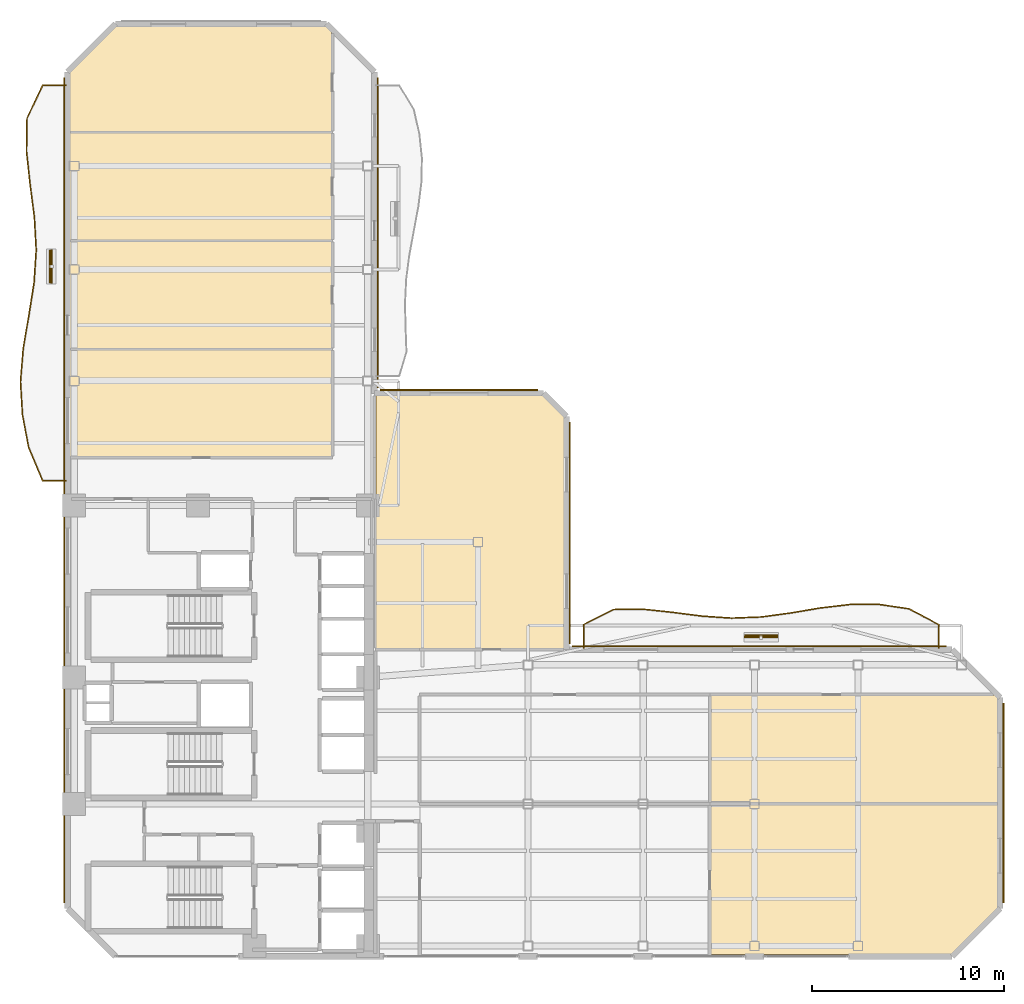
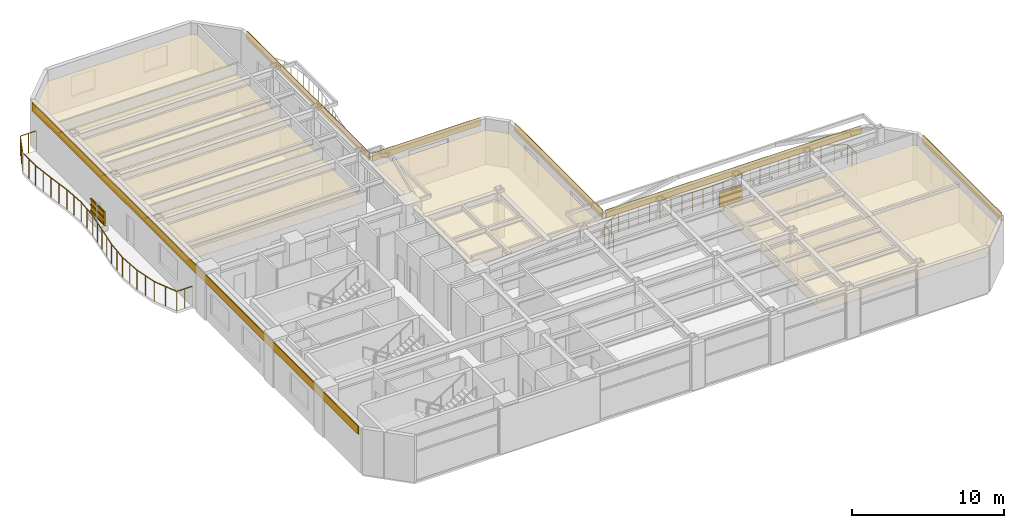
# One storey, part 14 of 15: 13 coverings, 8 shading devices, 2 railings.
"""IFC4 building model written with IfcOpenShell, lengths in metres."""

from ifc_helpers import new_model, si_unit, direction, frame, origin, origin_2d, place, context, subcontext, project, spatial, polyline, rectangle, outline, extrude, material, layer, layer_set, material_profile, profile_set, type_object, element, save


model = new_model("IFC4")

# Units and contexts
model_context = context("Model", 3, precision=1e-05, world=origin(), true_north=direction((0.0, 1.0)))
body_context = subcontext(model_context, "Body", "Model", "MODEL_VIEW")
ifc_project = project(units=[si_unit("LENGTHUNIT", "METRE"), si_unit("AREAUNIT", "SQUARE_METRE"), si_unit("VOLUMEUNIT", "CUBIC_METRE"), si_unit("PLANEANGLEUNIT", "RADIAN"), si_unit("MASSUNIT", "GRAM", prefix="KILO")], contexts=[model_context])

# Site, building, storey
site_placement = place(None, origin())
site = spatial("IfcSite", under=ifc_project, at=site_placement, CompositionType="ELEMENT")
building_placement = place(site_placement, origin())
building = spatial("IfcBuilding", under=site, at=building_placement, Name="Mawjaban Terraces University", CompositionType="ELEMENT")
storey_placement = place(building_placement, frame((0.0, 0.0, 119.0)))
storey = spatial("IfcBuildingStorey", under=building, at=storey_placement, Name="L28", CompositionType="ELEMENT", Elevation=119.0)

# Coverings
ifc_material_1 = material(Name="Acoustic mineral fibre ceiling tile", Category="masonry")
ifc_layer_1 = layer(ifc_material_1, 0.02001953125)
ifc_layer_set_1 = layer_set([ifc_layer_1], Name="Acoustic mineral fibre ceiling tile")
covering_type_1 = type_object("IfcCoveringType", Name="AcousticMineralCeiling_20", PredefinedType="CEILING", material=ifc_layer_set_1)
covering_1_placement = place(storey_placement, frame((0.0, 0.0, 2.75)))
element("IfcCovering", 1, at=covering_1_placement, inside=storey, type_object=covering_type_1, Name="L28 Design Studio 4 Acoustic Ceiling", PredefinedType="CEILING", context=body_context, shape_type="SweptSolid", body=[
    extrude(outline(polyline([(55.5048828125, 0.114990234375), (68.052978515625, 0.114990234375), (70.485107421875, 2.547119140625), (70.485107421875, 7.919921875), (55.5048828125, 7.919921875), (55.5048828125, 0.114990234375)])), origin(), (0.0, 0.0, 1.0), 0.02001953125),
])
covering_2_placement = place(storey_placement, frame((0.0, 0.0, 2.75)))
element("IfcCovering", 2, at=covering_2_placement, inside=storey, type_object=covering_type_1, Name="L28 Faculty Office 5 Acoustic Ceiling", PredefinedType="CEILING", context=body_context, shape_type="SweptSolid", body=[
    extrude(outline(polyline([(70.485107421875, 7.97998046875), (70.485107421875, 13.452880859375), (70.318115234375, 13.6201171875), (55.5048828125, 13.6201171875), (55.5048828125, 7.97998046875), (70.485107421875, 7.97998046875)])), origin(), (0.0, 0.0, 1.0), 0.02001953125),
])
covering_3_placement = place(storey_placement, frame((0.0, 0.0, 2.75)))
element("IfcCovering", 3, at=covering_3_placement, inside=storey, type_object=covering_type_1, Name="L28 Departmental Office 6 Acoustic Ceiling", PredefinedType="CEILING", context=body_context, shape_type="SweptSolid", body=[
    extrude(outline(polyline([(22.114990234375, 31.6201171875), (22.114990234375, 26.030029296875), (35.77001953125, 26.030029296875), (35.77001953125, 31.6201171875), (22.114990234375, 31.6201171875)])), origin(), (0.0, 0.0, 1.0), 0.02001953125),
])
covering_4_placement = place(storey_placement, frame((0.0, 0.0, 2.75)))
element("IfcCovering", 4, at=covering_4_placement, inside=storey, type_object=covering_type_1, Name="L28 Academic Workspace 7 Acoustic Ceiling", PredefinedType="CEILING", context=body_context, shape_type="SweptSolid", body=[
    extrude(outline(polyline([(22.114990234375, 37.27001953125), (22.114990234375, 31.679931640625), (35.77001953125, 31.679931640625), (35.77001953125, 37.27001953125), (22.114990234375, 37.27001953125)])), origin(), (0.0, 0.0, 1.0), 0.02001953125),
])
covering_5_placement = place(storey_placement, frame((0.0, 0.0, 2.75)))
element("IfcCovering", 5, at=covering_5_placement, inside=storey, type_object=covering_type_1, Name="L28 Faculty Office 8 Acoustic Ceiling", PredefinedType="CEILING", context=body_context, shape_type="SweptSolid", body=[
    extrude(outline(polyline([(22.114990234375, 42.919921875), (22.114990234375, 37.330078125), (35.77001953125, 37.330078125), (35.77001953125, 42.919921875), (22.114990234375, 42.919921875)])), origin(), (0.0, 0.0, 1.0), 0.02001953125),
])
covering_6_placement = place(storey_placement, frame((0.0, 0.0, 2.75)))
element("IfcCovering", 6, at=covering_6_placement, inside=storey, type_object=covering_type_1, Name="L28 Departmental Office 9 Acoustic Ceiling", PredefinedType="CEILING", context=body_context, shape_type="SweptSolid", body=[
    extrude(outline(polyline([(35.77001953125, 48.16796875), (35.452880859375, 48.485107421875), (24.547119140625, 48.485107421875), (22.114990234375, 46.052978515625), (22.114990234375, 42.97998046875), (35.77001953125, 42.97998046875), (35.77001953125, 48.16796875)])), origin(), (0.0, 0.0, 1.0), 0.02001953125),
])
covering_7_placement = place(storey_placement, frame((0.0, 0.0, 2.75)))
element("IfcCovering", 7, at=covering_7_placement, inside=storey, type_object=covering_type_1, Name="L28 Terrace Collaborative Study Room Acoustic Ceiling", PredefinedType="CEILING", context=body_context, shape_type="SweptSolid", body=[
    extrude(outline(polyline([(47.888916015625, 16.030029296875), (47.888916015625, 28.10302734375), (46.757080078125, 29.235107421875), (38.080078125, 29.235107421875), (38.080078125, 16.030029296875), (47.888916015625, 16.030029296875)])), origin(), (0.0, 0.0, 1.0), 0.02001953125),
])

# Railings
ifc_material_2 = material(Name="Galvanised powder-coated steel S355", Category="steel")
railing_type = type_object("IfcRailingType", Name="BalconyBalustrade_1600", PredefinedType="BALUSTRADE", material=ifc_material_2)
railing_1_placement = place(storey_placement, frame((21.919921875, 24.800048828125, 0.0)))
element("IfcRailing", 8, at=railing_1_placement, inside=storey, type_object=railing_type, Name="L28 Balcony Guardrail west", PredefinedType="BALUSTRADE", context=body_context, shape_type="SweptSolid", body=[
    extrude(rectangle(XDim=0.048095703125, YDim=0.048095703125, at=origin_2d()), frame((0.0, 0.0, 1.576171875), z_axis=(-1.0, 0.0, 0.0), x_axis=(0.0, -1.0, 0.0)), (0.0, 0.0, 1.0), 1.219970703125),
    extrude(rectangle(XDim=0.048095703125, YDim=0.048095703125, at=origin_2d()), frame((-1.219970703125, 0.0, 1.576171875), z_axis=(-0.388027707189, 0.92164770843, 0.0), x_axis=(-0.92164770843, -0.388027707189, 0.0)), (0.0, 0.0, 1.0), 1.863037109375),
    extrude(rectangle(XDim=0.048095703125, YDim=0.048095703125, at=origin_2d()), frame((-1.94287109375, 1.717041015625, 1.576171875), z_axis=(-0.186752386743, 0.982407016489, 0.0), x_axis=(-0.982407016489, -0.186752386743, 0.0)), (0.0, 0.0, 1.0), 1.74658203125),
    extrude(rectangle(XDim=0.048095703125, YDim=0.048095703125, at=origin_2d()), frame((-2.26904296875, 3.432861328125, 1.576171875), z_axis=(-0.059187962302, 0.998246855802, 0.0), x_axis=(-0.998246855802, -0.059187962302, 0.0)), (0.0, 0.0, 1.0), 1.719970703125),
    extrude(rectangle(XDim=0.048095703125, YDim=0.048095703125, at=origin_2d()), frame((-2.370849609375, 5.14990234375, 1.576171875), z_axis=(0.081767083139, 0.996651465717, 0.0), x_axis=(-0.996651465717, 0.081767083139, 0.0)), (0.0, 0.0, 1.0), 1.722900390625),
    extrude(rectangle(XDim=0.048095703125, YDim=0.048095703125, at=origin_2d()), frame((-2.22998046875, 6.866943359375, 1.576171875), z_axis=(0.166650593889, 0.986016013844, 0.0), x_axis=(-0.986016013844, 0.166650593889, 0.0)), (0.0, 0.0, 1.0), 1.740478515625),
    extrude(rectangle(XDim=0.048095703125, YDim=0.048095703125, at=origin_2d()), frame((-1.93994140625, 8.5830078125, 1.576171875), z_axis=(0.157541431604, 0.987512378316, 0.0), x_axis=(-0.987512378316, 0.157541431604, 0.0)), (0.0, 0.0, 1.0), 1.73876953125),
    extrude(rectangle(XDim=0.048095703125, YDim=0.048095703125, at=origin_2d()), frame((-1.666015625, 10.300048828125, 1.576171875), z_axis=(0.065699610888, 0.997839446569, 0.0), x_axis=(-0.997839446569, 0.065699610888, 0.0)), (0.0, 0.0, 1.0), 1.720458984375),
    extrude(rectangle(XDim=0.048095703125, YDim=0.048095703125, at=origin_2d()), frame((-1.552978515625, 12.016845703125, 1.576171875), z_axis=(-0.055257598412, 0.998472131718, 0.0), x_axis=(-0.998472131718, -0.055257598412, 0.0)), (0.0, 0.0, 1.0), 1.71875),
    extrude(rectangle(XDim=0.048095703125, YDim=0.048095703125, at=origin_2d()), frame((-1.64794921875, 13.73291015625, 1.576171875), z_axis=(-0.128736356349, 0.991678854546, 0.0), x_axis=(-0.991678854546, -0.128736356349, 0.0)), (0.0, 0.0, 1.0), 1.7314453125),
    extrude(rectangle(XDim=0.048095703125, YDim=0.048095703125, at=origin_2d()), frame((-1.870849609375, 15.449951171875, 1.576171875), z_axis=(-0.108274802746, 0.994121002238, 0.0), x_axis=(-0.994121002238, -0.108274802746, 0.0)), (0.0, 0.0, 1.0), 1.727294921875),
    extrude(rectangle(XDim=0.048095703125, YDim=0.048095703125, at=origin_2d()), frame((-2.057861328125, 17.1669921875, 1.576171875), z_axis=(0.015647536304, 0.999877569809, 0.0), x_axis=(-0.999877569809, 0.015647536304, 0.0)), (0.0, 0.0, 1.0), 1.71630859375),
    extrude(rectangle(XDim=0.048095703125, YDim=0.048095703125, at=origin_2d()), frame((-2.031005859375, 18.883056640625, 1.576171875), z_axis=(0.427146482091, 0.904182438912, 0.0), x_axis=(-0.904182438912, 0.427146482091, 0.0)), (0.0, 0.0, 1.0), 1.898681640625),
    extrude(rectangle(XDim=0.048095703125, YDim=0.048095703125, at=origin_2d()), frame((-1.219970703125, 20.599853515625, 1.576171875), z_axis=(1.0, 0.0, 0.0), x_axis=(0.0, 1.0, 0.0)), (0.0, 0.0, 1.0), 1.219970703125),
    extrude(rectangle(XDim=0.0419921875, YDim=0.0419921875, at=origin_2d()), origin(), (0.0, 0.0, 1.0), 1.552001953125),
    extrude(rectangle(XDim=0.0419921875, YDim=0.0419921875, at=origin_2d()), frame((-0.60986328125, 0.0, 0.0)), (0.0, 0.0, 1.0), 1.552001953125),
    extrude(rectangle(XDim=0.0419921875, YDim=0.0419921875, at=origin_2d()), frame((-1.219970703125, 0.0, 0.0)), (0.0, 0.0, 1.0), 1.552001953125),
    extrude(rectangle(XDim=0.0419921875, YDim=0.0419921875, at=origin_2d()), frame((-1.58154296875, 0.8583984375, 0.0)), (0.0, 0.0, 1.0), 1.552001953125),
    extrude(rectangle(XDim=0.0419921875, YDim=0.0419921875, at=origin_2d()), frame((-1.94287109375, 1.717041015625, 0.0)), (0.0, 0.0, 1.0), 1.552001953125),
    extrude(rectangle(XDim=0.0419921875, YDim=0.0419921875, at=origin_2d()), frame((-2.10595703125, 2.574951171875, 0.0)), (0.0, 0.0, 1.0), 1.552001953125),
    extrude(rectangle(XDim=0.0419921875, YDim=0.0419921875, at=origin_2d()), frame((-2.26904296875, 3.432861328125, 0.0)), (0.0, 0.0, 1.0), 1.552001953125),
    extrude(rectangle(XDim=0.0419921875, YDim=0.0419921875, at=origin_2d()), frame((-2.31982421875, 4.29150390625, 0.0)), (0.0, 0.0, 1.0), 1.552001953125),
    extrude(rectangle(XDim=0.0419921875, YDim=0.0419921875, at=origin_2d()), frame((-2.370849609375, 5.14990234375, 0.0)), (0.0, 0.0, 1.0), 1.552001953125),
    extrude(rectangle(XDim=0.0419921875, YDim=0.0419921875, at=origin_2d()), frame((-2.30029296875, 6.00830078125, 0.0)), (0.0, 0.0, 1.0), 1.552001953125),
    extrude(rectangle(XDim=0.0419921875, YDim=0.0419921875, at=origin_2d()), frame((-2.22998046875, 6.866943359375, 0.0)), (0.0, 0.0, 1.0), 1.552001953125),
    extrude(rectangle(XDim=0.0419921875, YDim=0.0419921875, at=origin_2d()), frame((-2.0849609375, 7.72509765625, 0.0)), (0.0, 0.0, 1.0), 1.552001953125),
    extrude(rectangle(XDim=0.0419921875, YDim=0.0419921875, at=origin_2d()), frame((-1.93994140625, 8.5830078125, 0.0)), (0.0, 0.0, 1.0), 1.552001953125),
    extrude(rectangle(XDim=0.0419921875, YDim=0.0419921875, at=origin_2d()), frame((-1.802978515625, 9.44140625, 0.0)), (0.0, 0.0, 1.0), 1.552001953125),
    extrude(rectangle(XDim=0.0419921875, YDim=0.0419921875, at=origin_2d()), frame((-1.666015625, 10.300048828125, 0.0)), (0.0, 0.0, 1.0), 1.552001953125),
    extrude(rectangle(XDim=0.0419921875, YDim=0.0419921875, at=origin_2d()), frame((-1.609375, 11.158447265625, 0.0)), (0.0, 0.0, 1.0), 1.552001953125),
    extrude(rectangle(XDim=0.0419921875, YDim=0.0419921875, at=origin_2d()), frame((-1.552978515625, 12.016845703125, 0.0)), (0.0, 0.0, 1.0), 1.552001953125),
    extrude(rectangle(XDim=0.0419921875, YDim=0.0419921875, at=origin_2d()), frame((-1.6005859375, 12.875, 0.0)), (0.0, 0.0, 1.0), 1.552001953125),
    extrude(rectangle(XDim=0.0419921875, YDim=0.0419921875, at=origin_2d()), frame((-1.64794921875, 13.73291015625, 0.0)), (0.0, 0.0, 1.0), 1.552001953125),
    extrude(rectangle(XDim=0.0419921875, YDim=0.0419921875, at=origin_2d()), frame((-1.75927734375, 14.59130859375, 0.0)), (0.0, 0.0, 1.0), 1.552001953125),
    extrude(rectangle(XDim=0.0419921875, YDim=0.0419921875, at=origin_2d()), frame((-1.870849609375, 15.449951171875, 0.0)), (0.0, 0.0, 1.0), 1.552001953125),
    extrude(rectangle(XDim=0.0419921875, YDim=0.0419921875, at=origin_2d()), frame((-1.96435546875, 16.30859375, 0.0)), (0.0, 0.0, 1.0), 1.552001953125),
    extrude(rectangle(XDim=0.0419921875, YDim=0.0419921875, at=origin_2d()), frame((-2.057861328125, 17.1669921875, 0.0)), (0.0, 0.0, 1.0), 1.552001953125),
    extrude(rectangle(XDim=0.0419921875, YDim=0.0419921875, at=origin_2d()), frame((-2.04443359375, 18.02490234375, 0.0)), (0.0, 0.0, 1.0), 1.552001953125),
    extrude(rectangle(XDim=0.0419921875, YDim=0.0419921875, at=origin_2d()), frame((-2.031005859375, 18.883056640625, 0.0)), (0.0, 0.0, 1.0), 1.552001953125),
    extrude(rectangle(XDim=0.0419921875, YDim=0.0419921875, at=origin_2d()), frame((-1.62548828125, 19.741455078125, 0.0)), (0.0, 0.0, 1.0), 1.552001953125),
    extrude(rectangle(XDim=0.0419921875, YDim=0.0419921875, at=origin_2d()), frame((-1.219970703125, 20.599853515625, 0.0)), (0.0, 0.0, 1.0), 1.552001953125),
    extrude(rectangle(XDim=0.0419921875, YDim=0.0419921875, at=origin_2d()), frame((-0.60986328125, 20.599853515625, 0.0)), (0.0, 0.0, 1.0), 1.552001953125),
    extrude(rectangle(XDim=0.0419921875, YDim=0.0419921875, at=origin_2d()), frame((0.0, 20.599853515625, 0.0)), (0.0, 0.0, 1.0), 1.552001953125),
])
railing_2_placement = place(storey_placement, frame((48.904052734375, 16.080078125, 0.0)))
element("IfcRailing", 9, at=railing_2_placement, inside=storey, type_object=railing_type, Name="L28 Balcony Guardrail inner_north", PredefinedType="BALUSTRADE", context=body_context, shape_type="SweptSolid", body=[
    extrude(rectangle(XDim=0.048095703125, YDim=0.048095703125, at=origin_2d()), frame((0.0, 0.0, 1.576171875), z_axis=(0.0, 1.0, 0.0), x_axis=(-1.0, 0.0, 0.0)), (0.0, 0.0, 1.0), 1.219970703125),
    extrude(rectangle(XDim=0.048095703125, YDim=0.048095703125, at=origin_2d()), frame((0.0, 1.219970703125, 1.576171875), z_axis=(0.891070737489, 0.453864452001, 0.0), x_axis=(-0.453864452001, 0.891070737489, 0.0)), (0.0, 0.0, 1.0), 1.7294921875),
    extrude(rectangle(XDim=0.048095703125, YDim=0.048095703125, at=origin_2d()), frame((1.541015625, 2.0048828125, 1.576171875), z_axis=(0.999938589613, 0.011082283292, 0.0), x_axis=(-0.011082283292, 0.999938589613, 0.0)), (0.0, 0.0, 1.0), 1.5419921875),
    extrude(rectangle(XDim=0.048095703125, YDim=0.048095703125, at=origin_2d()), frame((3.0830078125, 2.02197265625, 1.576171875), z_axis=(0.994446593529, -0.105242446844, 0.0), x_axis=(0.105242446844, 0.994446593529, 0.0)), (0.0, 0.0, 1.0), 1.549560546875),
    extrude(rectangle(XDim=0.048095703125, YDim=0.048095703125, at=origin_2d()), frame((4.6240234375, 1.85888671875, 1.576171875), z_axis=(0.991846560903, -0.127437826504, 0.0), x_axis=(0.127437826504, 0.991846560903, 0.0)), (0.0, 0.0, 1.0), 1.5537109375),
    extrude(rectangle(XDim=0.048095703125, YDim=0.048095703125, at=origin_2d()), frame((6.1650390625, 1.660888671875, 1.576171875), z_axis=(0.997733131793, -0.067294856578, 0.0), x_axis=(0.067294856578, 0.997733131793, 0.0)), (0.0, 0.0, 1.0), 1.54541015625),
    extrude(rectangle(XDim=0.048095703125, YDim=0.048095703125, at=origin_2d()), frame((7.70703125, 1.556884765625, 1.576171875), z_axis=(0.999241401749, 0.038943818889, 0.0), x_axis=(-0.038943818889, 0.999241401749, 0.0)), (0.0, 0.0, 1.0), 1.542236328125),
    extrude(rectangle(XDim=0.048095703125, YDim=0.048095703125, at=origin_2d()), frame((9.248046875, 1.616943359375, 1.576171875), z_axis=(0.991012692239, 0.133767872907, 0.0), x_axis=(-0.133767872907, 0.991012692239, 0.0)), (0.0, 0.0, 1.0), 1.554931640625),
    extrude(rectangle(XDim=0.048095703125, YDim=0.048095703125, at=origin_2d()), frame((10.7890625, 1.824951171875, 1.576171875), z_axis=(0.986079896416, 0.166272180127, 0.0), x_axis=(-0.166272180127, 0.986079896416, 0.0)), (0.0, 0.0, 1.0), 1.563720703125),
    extrude(rectangle(XDim=0.048095703125, YDim=0.048095703125, at=origin_2d()), frame((12.3310546875, 2.0849609375, 1.576171875), z_axis=(0.993030867099, 0.117854558621, 0.0), x_axis=(-0.117854558621, 0.993030867099, 0.0)), (0.0, 0.0, 1.0), 1.551513671875),
    extrude(rectangle(XDim=0.048095703125, YDim=0.048095703125, at=origin_2d()), frame((13.871826171875, 2.267822265625, 1.576171875), z_axis=(0.999999686256, 0.000792141703, 0.0), x_axis=(-0.000792141703, 0.999999686256, 0.0)), (0.0, 0.0, 1.0), 1.541015625),
    extrude(rectangle(XDim=0.048095703125, YDim=0.048095703125, at=origin_2d()), frame((15.412841796875, 2.26904296875, 1.576171875), z_axis=(0.989037200011, -0.147666573719, 0.0), x_axis=(0.147666573719, 0.989037200011, 0.0)), (0.0, 0.0, 1.0), 1.55908203125),
    extrude(rectangle(XDim=0.048095703125, YDim=0.048095703125, at=origin_2d()), frame((16.954833984375, 2.038818359375, 1.576171875), z_axis=(0.883072242159, -0.469237056432, 0.0), x_axis=(0.469237056432, 0.883072242159, 0.0)), (0.0, 0.0, 1.0), 1.7451171875),
    extrude(rectangle(XDim=0.048095703125, YDim=0.048095703125, at=origin_2d()), frame((18.495849609375, 1.219970703125, 1.576171875), z_axis=(0.0, -1.0, 0.0), x_axis=(1.0, 0.0, 0.0)), (0.0, 0.0, 1.0), 1.219970703125),
    extrude(rectangle(XDim=0.0419921875, YDim=0.0419921875, at=origin_2d()), origin(), (0.0, 0.0, 1.0), 1.552001953125),
    extrude(rectangle(XDim=0.0419921875, YDim=0.0419921875, at=origin_2d()), frame((0.0, 0.60986328125, 0.0)), (0.0, 0.0, 1.0), 1.552001953125),
    extrude(rectangle(XDim=0.0419921875, YDim=0.0419921875, at=origin_2d()), frame((0.0, 1.219970703125, 0.0)), (0.0, 0.0, 1.0), 1.552001953125),
    extrude(rectangle(XDim=0.0419921875, YDim=0.0419921875, at=origin_2d()), frame((0.7705078125, 1.6123046875, 0.0)), (0.0, 0.0, 1.0), 1.552001953125),
    extrude(rectangle(XDim=0.0419921875, YDim=0.0419921875, at=origin_2d()), frame((1.541015625, 2.0048828125, 0.0)), (0.0, 0.0, 1.0), 1.552001953125),
    extrude(rectangle(XDim=0.0419921875, YDim=0.0419921875, at=origin_2d()), frame((2.31201171875, 2.013427734375, 0.0)), (0.0, 0.0, 1.0), 1.552001953125),
    extrude(rectangle(XDim=0.0419921875, YDim=0.0419921875, at=origin_2d()), frame((3.0830078125, 2.02197265625, 0.0)), (0.0, 0.0, 1.0), 1.552001953125),
    extrude(rectangle(XDim=0.0419921875, YDim=0.0419921875, at=origin_2d()), frame((3.853515625, 1.9404296875, 0.0)), (0.0, 0.0, 1.0), 1.552001953125),
    extrude(rectangle(XDim=0.0419921875, YDim=0.0419921875, at=origin_2d()), frame((4.6240234375, 1.85888671875, 0.0)), (0.0, 0.0, 1.0), 1.552001953125),
    extrude(rectangle(XDim=0.0419921875, YDim=0.0419921875, at=origin_2d()), frame((5.39453125, 1.759765625, 0.0)), (0.0, 0.0, 1.0), 1.552001953125),
    extrude(rectangle(XDim=0.0419921875, YDim=0.0419921875, at=origin_2d()), frame((6.1650390625, 1.660888671875, 0.0)), (0.0, 0.0, 1.0), 1.552001953125),
    extrude(rectangle(XDim=0.0419921875, YDim=0.0419921875, at=origin_2d()), frame((6.93603515625, 1.60888671875, 0.0)), (0.0, 0.0, 1.0), 1.552001953125),
    extrude(rectangle(XDim=0.0419921875, YDim=0.0419921875, at=origin_2d()), frame((7.70703125, 1.556884765625, 0.0)), (0.0, 0.0, 1.0), 1.552001953125),
    extrude(rectangle(XDim=0.0419921875, YDim=0.0419921875, at=origin_2d()), frame((8.4775390625, 1.5869140625, 0.0)), (0.0, 0.0, 1.0), 1.552001953125),
    extrude(rectangle(XDim=0.0419921875, YDim=0.0419921875, at=origin_2d()), frame((9.248046875, 1.616943359375, 0.0)), (0.0, 0.0, 1.0), 1.552001953125),
    extrude(rectangle(XDim=0.0419921875, YDim=0.0419921875, at=origin_2d()), frame((10.0185546875, 1.720947265625, 0.0)), (0.0, 0.0, 1.0), 1.552001953125),
    extrude(rectangle(XDim=0.0419921875, YDim=0.0419921875, at=origin_2d()), frame((10.7890625, 1.824951171875, 0.0)), (0.0, 0.0, 1.0), 1.552001953125),
    extrude(rectangle(XDim=0.0419921875, YDim=0.0419921875, at=origin_2d()), frame((11.56005859375, 1.955078125, 0.0)), (0.0, 0.0, 1.0), 1.552001953125),
    extrude(rectangle(XDim=0.0419921875, YDim=0.0419921875, at=origin_2d()), frame((12.3310546875, 2.0849609375, 0.0)), (0.0, 0.0, 1.0), 1.552001953125),
    extrude(rectangle(XDim=0.0419921875, YDim=0.0419921875, at=origin_2d()), frame((13.1015625, 2.17626953125, 0.0)), (0.0, 0.0, 1.0), 1.552001953125),
    extrude(rectangle(XDim=0.0419921875, YDim=0.0419921875, at=origin_2d()), frame((13.871826171875, 2.267822265625, 0.0)), (0.0, 0.0, 1.0), 1.552001953125),
    extrude(rectangle(XDim=0.0419921875, YDim=0.0419921875, at=origin_2d()), frame((14.642333984375, 2.2685546875, 0.0)), (0.0, 0.0, 1.0), 1.552001953125),
    extrude(rectangle(XDim=0.0419921875, YDim=0.0419921875, at=origin_2d()), frame((15.412841796875, 2.26904296875, 0.0)), (0.0, 0.0, 1.0), 1.552001953125),
    extrude(rectangle(XDim=0.0419921875, YDim=0.0419921875, at=origin_2d()), frame((16.183837890625, 2.15380859375, 0.0)), (0.0, 0.0, 1.0), 1.552001953125),
    extrude(rectangle(XDim=0.0419921875, YDim=0.0419921875, at=origin_2d()), frame((16.954833984375, 2.038818359375, 0.0)), (0.0, 0.0, 1.0), 1.552001953125),
    extrude(rectangle(XDim=0.0419921875, YDim=0.0419921875, at=origin_2d()), frame((17.725341796875, 1.62939453125, 0.0)), (0.0, 0.0, 1.0), 1.552001953125),
    extrude(rectangle(XDim=0.0419921875, YDim=0.0419921875, at=origin_2d()), frame((18.495849609375, 1.219970703125, 0.0)), (0.0, 0.0, 1.0), 1.552001953125),
    extrude(rectangle(XDim=0.0419921875, YDim=0.0419921875, at=origin_2d()), frame((18.495849609375, 0.60986328125, 0.0)), (0.0, 0.0, 1.0), 1.552001953125),
    extrude(rectangle(XDim=0.0419921875, YDim=0.0419921875, at=origin_2d()), frame((18.495849609375, 0.0, 0.0)), (0.0, 0.0, 1.0), 1.552001953125),
])

# Shading devices
ifc_material_3 = material(Name="Glazed architectural terracotta ceramic", Category="masonry")
ifc_material_profile = material_profile(ifc_material_3, rectangle(XDim=0.06494140625, YDim=0.110107421875, at=origin_2d()), Name="TBAG110X65")
ifc_profile_set = profile_set([ifc_material_profile], Name="Glazed architectural terracotta ceramic")
shading_device_type_1 = type_object("IfcShadingDeviceType", Name="TerracottaBaguette_110x65", PredefinedType="USERDEFINED", material=ifc_profile_set)
for number, where, z_axis, x_axis, name in (
    (10, (21.074951171875, 35.10888671875, 0.679931640625), (0.0, 1.0, 0.0), (-1.0, 0.0, 0.0), "L28 Horizontal Terracotta Baguette west.1"),
    (11, (21.074951171875, 35.10888671875, 1.14990234375), (0.0, 1.0, 0.0), (-1.0, 0.0, 0.0), "L28 Horizontal Terracotta Baguette west.2"),
    (12, (21.074951171875, 35.10888671875, 1.6201171875), (0.0, 1.0, 0.0), (-1.0, 0.0, 0.0), "L28 Horizontal Terracotta Baguette west.3"),
):
    element("IfcShadingDevice", number, at=place(storey_placement, frame(where, z_axis=z_axis, x_axis=x_axis)), inside=storey, type_object=shading_device_type_1, Name=name, ObjectType="BAGUETTE", PredefinedType="USERDEFINED", context=body_context, shape_type="SweptSolid", body=[
        extrude(rectangle(XDim=0.06494140625, YDim=0.110107421875, at=origin_2d()), origin(), (0.0, 0.0, 1.0), 1.7001953125),
    ])
for number, where, z_axis, x_axis, name in (
    (13, (57.302001953125, 16.72998046875, 0.679931640625), (1.0, 0.0, 0.0), (0.0, 1.0, 0.0), "L28 Horizontal Terracotta Baguette inner_north.1"),
    (14, (57.302001953125, 16.72998046875, 1.14990234375), (1.0, 0.0, 0.0), (0.0, 1.0, 0.0), "L28 Horizontal Terracotta Baguette inner_north.2"),
    (15, (57.302001953125, 16.72998046875, 1.6201171875), (1.0, 0.0, 0.0), (0.0, 1.0, 0.0), "L28 Horizontal Terracotta Baguette inner_north.3"),
):
    element("IfcShadingDevice", number, at=place(storey_placement, frame(where, z_axis=z_axis, x_axis=x_axis)), inside=storey, type_object=shading_device_type_1, Name=name, ObjectType="BAGUETTE", PredefinedType="USERDEFINED", context=body_context, shape_type="SweptSolid", body=[
        extrude(rectangle(XDim=0.06494140625, YDim=0.110107421875, at=origin_2d()), origin(), (0.0, 0.0, 1.0), 1.699951171875),
    ])
ifc_layer_2 = layer(ifc_material_3, 0.080078125)
ifc_layer_set_2 = layer_set([ifc_layer_2], Name="Glazed architectural terracotta ceramic")
shading_device_type_2 = type_object("IfcShadingDeviceType", Name="TerracottaScreen_Perforated", PredefinedType="USERDEFINED", material=ifc_layer_set_2)
for number, where, z_axis, x_axis, name in (
    (16, (21.159912109375, 35.958984375, 0.43994140625), (0.0, 0.0, 1.0), (0.0, 1.0, 0.0), "L28 Balcony Perforated Terracotta Screen west"),
    (17, (58.152099609375, 16.64501953125, 0.43994140625), (0.0, 0.0, 1.0), (1.0, 0.0, 0.0), "L28 Balcony Perforated Terracotta Screen inner_north"),
):
    element("IfcShadingDevice", number, at=place(storey_placement, frame(where, z_axis=z_axis, x_axis=x_axis)), inside=storey, type_object=shading_device_type_2, Name=name, ObjectType="SCREEN", PredefinedType="USERDEFINED", context=body_context, shape_type="SweptSolid", body=[
        extrude(rectangle(XDim=1.75, YDim=0.080078125, at=origin_2d()), origin(), (0.0, 0.0, 1.0), 1.14990234375),
    ])

# Coverings
ifc_material_4 = material(Name="Glazed architectural terracotta rainscreen", Category="masonry")
ifc_layer_3 = layer(ifc_material_4, 0.06005859375)
ifc_layer_set_3 = layer_set([ifc_layer_3], Name="Glazed architectural terracotta rainscreen")
covering_type_2 = type_object("IfcCoveringType", Name="TerracottaSpandrelCladding_60", PredefinedType="CLADDING", material=ifc_layer_set_3)
covering_8_placement = place(storey_placement, frame((70.77490234375, 8.0, 3.01513671875), z_axis=(0.0, 0.0, 1.0), x_axis=(0.0, 1.0, 0.0)))
element("IfcCovering", 18, at=covering_8_placement, inside=storey, type_object=covering_type_2, Name="L28 Terracotta Spandrel Cladding 3", PredefinedType="CLADDING", context=body_context, shape_type="SweptSolid", body=[
    extrude(rectangle(XDim=10.39990234375, YDim=0.06005859375, at=origin_2d()), origin(), (0.0, 0.0, 1.0), 0.64990234375),
])
covering_9_placement = place(storey_placement, frame((58.052001953125, 16.175048828125, 3.01513671875), z_axis=(0.0, 0.0, 1.0), x_axis=(-1.0, 0.0, 0.0)))
element("IfcCovering", 19, at=covering_9_placement, inside=storey, type_object=covering_type_2, Name="L28 Terracotta Spandrel Cladding 5", PredefinedType="CLADDING", context=body_context, shape_type="SweptSolid", body=[
    extrude(rectangle(XDim=19.49609375, YDim=0.06005859375, at=origin_2d()), origin(), (0.0, 0.0, 1.0), 0.64990234375),
])
covering_10_placement = place(storey_placement, frame((48.178955078125, 22.074951171875, 3.01513671875), z_axis=(0.0, 0.0, 1.0), x_axis=(0.0, 1.0, 0.0)))
element("IfcCovering", 20, at=covering_10_placement, inside=storey, type_object=covering_type_2, Name="L28 Terracotta Spandrel Cladding 6", PredefinedType="CLADDING", context=body_context, shape_type="SweptSolid", body=[
    extrude(rectangle(XDim=11.550048828125, YDim=0.06005859375, at=origin_2d()), origin(), (0.0, 0.0, 1.0), 0.64990234375),
])
covering_11_placement = place(storey_placement, frame((42.402099609375, 29.52490234375, 3.01513671875), z_axis=(0.0, 0.0, 1.0), x_axis=(-1.0, 0.0, 0.0)))
element("IfcCovering", 21, at=covering_11_placement, inside=storey, type_object=covering_type_2, Name="L28 Terracotta Spandrel Cladding 8", PredefinedType="CLADDING", context=body_context, shape_type="SweptSolid", body=[
    extrude(rectangle(XDim=8.2041015625, YDim=0.06005859375, at=origin_2d()), origin(), (0.0, 0.0, 1.0), 0.64990234375),
])
covering_12_placement = place(storey_placement, frame((38.175048828125, 37.72509765625, 3.01513671875), z_axis=(0.0, 0.0, 1.0), x_axis=(0.0, 1.0, 0.0)))
element("IfcCovering", 22, at=covering_12_placement, inside=storey, type_object=covering_type_2, Name="L28 Terracotta Spandrel Cladding 9", PredefinedType="CLADDING", context=body_context, shape_type="SweptSolid", body=[
    extrude(rectangle(XDim=16.14990234375, YDim=0.06005859375, at=origin_2d()), origin(), (0.0, 0.0, 1.0), 0.64990234375),
])
covering_13_placement = place(storey_placement, frame((21.824951171875, 24.300048828125, 3.01513671875), z_axis=(0.0, 0.0, 1.0), x_axis=(0.0, -1.0, 0.0)))
element("IfcCovering", 23, at=covering_13_placement, inside=storey, type_object=covering_type_2, Name="L28 Terracotta Spandrel Cladding 13", PredefinedType="CLADDING", context=body_context, shape_type="SweptSolid", body=[
    extrude(rectangle(XDim=43.0, YDim=0.06005859375, at=origin_2d()), origin(), (0.0, 0.0, 1.0), 0.64990234375),
])

save(model, "model.ifc")
